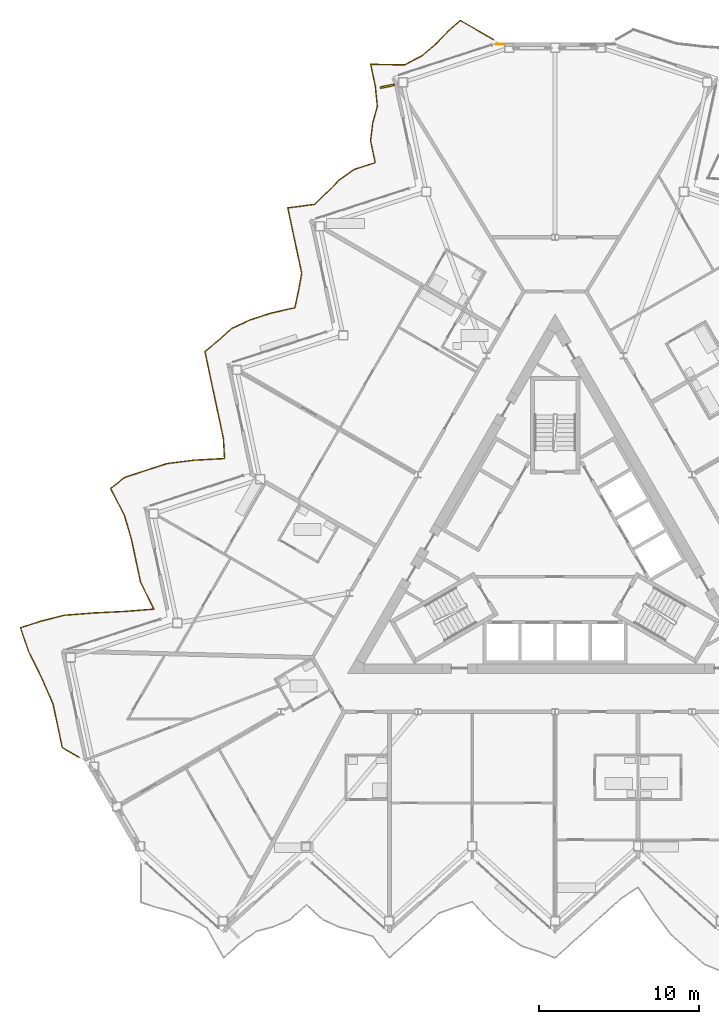
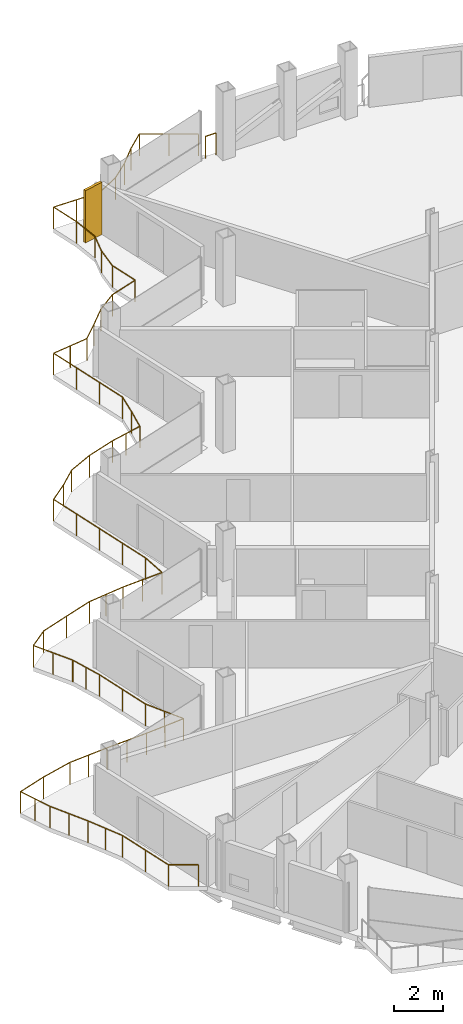
# One storey, part 25 of 28: 2 railings, 1 shading device.
"""IFC4 building model written with IfcOpenShell, lengths in metres."""

from ifc_helpers import new_model, si_unit, direction, frame, origin, origin_2d, place, context, subcontext, project, spatial, rectangle, circle, extrude, material, layer, layer_set, type_object, element, save


model = new_model("IFC4")

# Units and contexts
model_context = context("Model", 3, precision=1e-05, world=origin(), true_north=direction((0.0, 1.0)))
body_context = subcontext(model_context, "Body", "Model", "MODEL_VIEW")
ifc_project = project(units=[si_unit("LENGTHUNIT", "METRE"), si_unit("AREAUNIT", "SQUARE_METRE"), si_unit("VOLUMEUNIT", "CUBIC_METRE"), si_unit("PLANEANGLEUNIT", "RADIAN"), si_unit("MASSUNIT", "GRAM", prefix="KILO")], contexts=[model_context])

# Site, building, storey
site_placement = place(None, origin())
site = spatial("IfcSite", under=ifc_project, at=site_placement, CompositionType="ELEMENT")
building_placement = place(site_placement, origin())
building = spatial("IfcBuilding", under=site, at=building_placement, Name="Cormorant Prow Tower", CompositionType="ELEMENT")
storey_placement = place(building_placement, frame((0.0, 0.0, 308.60009765625)))
storey = spatial("IfcBuildingStorey", under=building, at=storey_placement, Name="L67", CompositionType="ELEMENT", Elevation=308.60009765625)

# Railings
ifc_material_1 = material(Name="Aluminium 6063-T6", Category="aluminium")
railing_type_1 = type_object("IfcRailingType", Name="Balcony guard 1100", PredefinedType="GUARDRAIL", material=ifc_material_1)
railing_1_placement = place(storey_placement, frame((-3.853759765625, 32.19482421875, 0.0)))
element("IfcRailing", 1, at=railing_1_placement, inside=storey, type_object=railing_type_1, Name="Balcony guard WNW", PredefinedType="GUARDRAIL", context=body_context, shape_type="SweptSolid", body=[
    extrude(circle(Radius=0.02392578125, at=origin_2d()), frame((0.0, 0.0, 1.076171875), z_axis=(-0.865984316205, 0.500071159023, 0.0), x_axis=(-0.500071159023, -0.865984316205, 0.0)), (0.0, 0.0, 1.0), 2.404052734375),
    extrude(circle(Radius=0.02392578125, at=origin_2d()), frame((-2.081787109375, 1.2021484375, 1.076171875), z_axis=(-0.747089038768, -0.664723978921, 0.0), x_axis=(0.664723978921, -0.747089038768, 0.0)), (0.0, 0.0, 1.0), 1.09375),
    extrude(circle(Radius=0.02392578125, at=origin_2d()), frame((-2.89892578125, 0.47509765625, 1.076171875), z_axis=(-0.694211586082, -0.719770987016, 0.0), x_axis=(0.719770987016, -0.694211586082, 0.0)), (0.0, 0.0, 1.0), 1.06982421875),
    extrude(circle(Radius=0.02392578125, at=origin_2d()), frame((-3.6416015625, -0.294921875, 1.076171875), z_axis=(-0.762032199561, -0.647539131507, 0.0), x_axis=(0.647539131507, -0.762032199561, 0.0)), (0.0, 0.0, 1.0), 1.1025390625),
    extrude(circle(Radius=0.02392578125, at=origin_2d()), frame((-4.481689453125, -1.0087890625, 1.076171875), z_axis=(-0.882981427981, -0.469407922644, 0.0), x_axis=(0.469407922644, -0.882981427981, 0.0)), (0.0, 0.0, 1.0), 1.224365234375),
    extrude(circle(Radius=0.02392578125, at=origin_2d()), frame((-5.562744140625, -1.58349609375, 1.076171875), z_axis=(-0.999864732402, 0.016447397928, 0.0), x_axis=(-0.016447397928, -0.999864732402, 0.0)), (0.0, 0.0, 1.0), 2.137451171875),
    extrude(circle(Radius=0.02392578125, at=origin_2d()), frame((-7.699951171875, -1.54833984375, 1.076171875), z_axis=(0.207929807467, -0.978143749746, 0.0), x_axis=(0.978143749746, 0.207929807467, 0.0)), (0.0, 0.0, 1.0), 1.397216796875),
    extrude(circle(Radius=0.02392578125, at=origin_2d()), frame((-7.409423828125, -2.9150390625, 1.076171875), z_axis=(0.097534282196, -0.995232165777, 0.0), x_axis=(0.995232165777, 0.097534282196, 0.0)), (0.0, 0.0, 1.0), 1.276611328125),
    extrude(circle(Radius=0.02392578125, at=origin_2d()), frame((-7.284912109375, -4.185546875, 1.076171875), z_axis=(-0.266293644334, -0.963891951926, 0.0), x_axis=(0.963891951926, -0.266293644334, 0.0)), (0.0, 0.0, 1.0), 1.07275390625),
    extrude(circle(Radius=0.02392578125, at=origin_2d()), frame((-7.570556640625, -5.219482421875, 1.076171875), z_axis=(-0.120971161182, -0.992656022075, 0.0), x_axis=(0.992656022075, -0.120971161182, 0.0)), (0.0, 0.0, 1.0), 1.128173828125),
    extrude(circle(Radius=0.02392578125, at=origin_2d()), frame((-7.70703125, -6.33935546875, 1.076171875), z_axis=(0.207798139517, -0.978171729919, 0.0), x_axis=(0.978171729919, 0.207798139517, 0.0)), (0.0, 0.0, 1.0), 1.39697265625),
    extrude(circle(Radius=0.02392578125, at=origin_2d()), frame((-7.416748046875, -7.705810546875, 1.076171875), z_axis=(-0.951016087818, -0.309141392751, 0.0), x_axis=(0.309141392751, -0.951016087818, 0.0)), (0.0, 0.0, 1.0), 1.39697265625),
    extrude(circle(Radius=0.02392578125, at=origin_2d()), frame((-8.745361328125, -8.1376953125, 1.076171875), z_axis=(-0.811729495463, -0.584033583106, 0.0), x_axis=(0.584033583106, -0.811729495463, 0.0)), (0.0, 0.0, 1.0), 1.138671875),
    extrude(circle(Radius=0.02392578125, at=origin_2d()), frame((-9.669677734375, -8.802734375, 1.076171875), z_axis=(-0.703572168412, -0.710623813165, 0.0), x_axis=(0.710623813165, -0.703572168412, 0.0)), (0.0, 0.0, 1.0), 1.0732421875),
    extrude(circle(Radius=0.02392578125, at=origin_2d()), frame((-10.4248046875, -9.5654296875, 1.076171875), z_axis=(-0.718102453364, -0.69593740126, 0.0), x_axis=(0.69593740126, -0.718102453364, 0.0)), (0.0, 0.0, 1.0), 1.079345703125),
    extrude(circle(Radius=0.02392578125, at=origin_2d()), frame((-11.199951171875, -10.316650390625, 1.076171875), z_axis=(-0.991439182662, -0.130569319074, 0.0), x_axis=(0.130569319074, -0.991439182662, 0.0)), (0.0, 0.0, 1.0), 1.705322265625),
    extrude(circle(Radius=0.02392578125, at=origin_2d()), frame((-12.890625, -10.539306640625, 1.076171875), z_axis=(0.207762621885, -0.978179274442, 0.0), x_axis=(0.978179274442, 0.207762621885, 0.0)), (0.0, 0.0, 1.0), 1.397216796875),
    extrude(circle(Radius=0.02392578125, at=origin_2d()), frame((-12.600341796875, -11.906005859375, 1.076171875), z_axis=(0.207965351097, -0.978136193351, 0.0), x_axis=(0.978136193351, 0.207965351097, 0.0)), (0.0, 0.0, 1.0), 1.39697265625),
    extrude(circle(Radius=0.02392578125, at=origin_2d()), frame((-12.309814453125, -13.2724609375, 1.076171875), z_axis=(0.207798139517, -0.978171729919, 0.0), x_axis=(0.978171729919, 0.207798139517, 0.0)), (0.0, 0.0, 1.0), 1.39697265625),
    extrude(circle(Radius=0.02392578125, at=origin_2d()), frame((-12.01953125, -14.638916015625, 1.076171875), z_axis=(-0.180074285146, -0.983653013938, 0.0), x_axis=(0.983653013938, -0.180074285146, 0.0)), (0.0, 0.0, 1.0), 1.102294921875),
    extrude(circle(Radius=0.02392578125, at=origin_2d()), frame((-12.218017578125, -15.72314453125, 1.076171875), z_axis=(-0.208490120926, -0.978024472841, 0.0), x_axis=(0.978024472841, -0.208490120926, 0.0)), (0.0, 0.0, 1.0), 1.09130859375),
    extrude(circle(Radius=0.02392578125, at=origin_2d()), frame((-12.445556640625, -16.79052734375, 1.076171875), z_axis=(-0.97526134755, -0.22105497953, 0.0), x_axis=(0.22105497953, -0.97526134755, 0.0)), (0.0, 0.0, 1.0), 1.528564453125),
    extrude(circle(Radius=0.02392578125, at=origin_2d()), frame((-13.936279296875, -17.12841796875, 1.076171875), z_axis=(-0.951016087818, -0.309141392751, 0.0), x_axis=(0.309141392751, -0.951016087818, 0.0)), (0.0, 0.0, 1.0), 1.39697265625),
    extrude(circle(Radius=0.02392578125, at=origin_2d()), frame((-15.264892578125, -17.560302734375, 1.076171875), z_axis=(-0.90494118241, -0.425536668665, 0.0), x_axis=(0.425536668665, -0.90494118241, 0.0)), (0.0, 0.0, 1.0), 1.264404296875),
    extrude(circle(Radius=0.02392578125, at=origin_2d()), frame((-16.4091796875, -18.098388671875, 1.076171875), z_axis=(-0.737479817062, -0.675369172694, 0.0), x_axis=(0.675369172694, -0.737479817062, 0.0)), (0.0, 0.0, 1.0), 1.0888671875),
    extrude(circle(Radius=0.02392578125, at=origin_2d()), frame((-17.212158203125, -18.833740234375, 1.076171875), z_axis=(-0.780505258853, -0.62514921491, 0.0), x_axis=(0.62514921491, -0.780505258853, 0.0)), (0.0, 0.0, 1.0), 1.1142578125),
    extrude(circle(Radius=0.02392578125, at=origin_2d()), frame((-18.081787109375, -19.5302734375, 1.076171875), z_axis=(0.207965351097, -0.978136193351, 0.0), x_axis=(0.978136193351, 0.207965351097, 0.0)), (0.0, 0.0, 1.0), 1.39697265625),
    extrude(circle(Radius=0.02392578125, at=origin_2d()), frame((-17.791259765625, -20.896728515625, 1.076171875), z_axis=(0.207929807467, -0.978143749746, 0.0), x_axis=(0.978143749746, 0.207929807467, 0.0)), (0.0, 0.0, 1.0), 1.397216796875),
    extrude(circle(Radius=0.02392578125, at=origin_2d()), frame((-17.500732421875, -22.263427734375, 1.076171875), z_axis=(0.207798139517, -0.978171729919, 0.0), x_axis=(0.978171729919, 0.207798139517, 0.0)), (0.0, 0.0, 1.0), 1.39697265625),
    extrude(circle(Radius=0.02392578125, at=origin_2d()), frame((-17.21044921875, -23.6298828125, 1.076171875), z_axis=(0.207965351097, -0.978136193351, 0.0), x_axis=(0.978136193351, 0.207965351097, 0.0)), (0.0, 0.0, 1.0), 1.39697265625),
    extrude(circle(Radius=0.02392578125, at=origin_2d()), frame((-16.919921875, -24.996337890625, 1.076171875), z_axis=(0.055317377538, -0.998468821618, 0.0), x_axis=(0.998468821618, 0.055317377538, 0.0)), (0.0, 0.0, 1.0), 1.240234375),
    extrude(circle(Radius=0.02392578125, at=origin_2d()), frame((-16.851318359375, -26.234619140625, 1.076171875), z_axis=(-0.998537593173, -0.054061770412, 0.0), x_axis=(0.054061770412, -0.998537593173, 0.0)), (0.0, 0.0, 1.0), 1.901123046875),
    extrude(circle(Radius=0.02392578125, at=origin_2d()), frame((-18.749755859375, -26.33740234375, 1.076171875), z_axis=(-0.992234125574, -0.124384243561, 0.0), x_axis=(0.124384243561, -0.992234125574, 0.0)), (0.0, 0.0, 1.0), 1.719482421875),
    extrude(circle(Radius=0.02392578125, at=origin_2d()), frame((-20.455810546875, -26.55126953125, 1.076171875), z_axis=(-0.951067455121, -0.308983326103, 0.0), x_axis=(0.308983326103, -0.951067455121, 0.0)), (0.0, 0.0, 1.0), 1.39697265625),
    extrude(circle(Radius=0.02392578125, at=origin_2d()), frame((-21.784423828125, -26.98291015625, 1.076171875), z_axis=(-0.949313575677, -0.314330614218, 0.0), x_axis=(0.314330614218, -0.949313575677, 0.0)), (0.0, 0.0, 1.0), 1.390380859375),
    extrude(circle(Radius=0.02392578125, at=origin_2d()), frame((-23.104248046875, -27.419921875, 1.076171875), z_axis=(-0.788529793252, -0.614996557026, 0.0), x_axis=(0.614996557026, -0.788529793252, 0.0)), (0.0, 0.0, 1.0), 1.119873046875),
    extrude(circle(Radius=0.02392578125, at=origin_2d()), frame((-23.9873046875, -28.108642578125, 1.076171875), z_axis=(0.455120067294, -0.890430078303, 0.0), x_axis=(0.890430078303, 0.455120067294, 0.0)), (0.0, 0.0, 1.0), 1.91015625),
    extrude(circle(Radius=0.02392578125, at=origin_2d()), frame((-23.117919921875, -29.8095703125, 1.076171875), z_axis=(0.282973475097, -0.95912773518, 0.0), x_axis=(0.95912773518, 0.282973475097, 0.0)), (0.0, 0.0, 1.0), 1.50634765625),
    extrude(circle(Radius=0.02392578125, at=origin_2d()), frame((-22.691650390625, -31.25439453125, 1.076171875), z_axis=(0.207965351097, -0.978136193351, 0.0), x_axis=(0.978136193351, 0.207965351097, 0.0)), (0.0, 0.0, 1.0), 1.39697265625),
    extrude(circle(Radius=0.02392578125, at=origin_2d()), frame((-22.401123046875, -32.620849609375, 1.076171875), z_axis=(0.207798139517, -0.978171729919, 0.0), x_axis=(0.978171729919, 0.207798139517, 0.0)), (0.0, 0.0, 1.0), 1.39697265625),
    extrude(circle(Radius=0.02392578125, at=origin_2d()), frame((-22.11083984375, -33.9873046875, 1.076171875), z_axis=(0.443664933893, -0.896192739556, 0.0), x_axis=(0.896192739556, 0.443664933893, 0.0)), (0.0, 0.0, 1.0), 1.873046875),
    extrude(circle(Radius=0.02392578125, at=origin_2d()), frame((-21.27978515625, -35.666015625, 1.076171875), z_axis=(-0.996893193601, -0.078765224254, 0.0), x_axis=(0.078765224254, -0.996893193601, 0.0)), (0.0, 0.0, 1.0), 1.831787109375),
    extrude(circle(Radius=0.02392578125, at=origin_2d()), frame((-23.10595703125, -35.810302734375, 1.076171875), z_axis=(-0.998816277505, -0.048641996176, 0.0), x_axis=(0.048641996176, -0.998816277505, 0.0)), (0.0, 0.0, 1.0), 1.917236328125),
    extrude(circle(Radius=0.02392578125, at=origin_2d()), frame((-25.02099609375, -35.903564453125, 1.076171875), z_axis=(-0.997045880711, -0.076808279228, 0.0), x_axis=(0.076808279228, -0.997045880711, 0.0)), (0.0, 0.0, 1.0), 1.837158203125),
    extrude(circle(Radius=0.02392578125, at=origin_2d()), frame((-26.852783203125, -36.044677734375, 1.076171875), z_axis=(-0.970449044261, -0.241306138529, 0.0), x_axis=(0.241306138529, -0.970449044261, 0.0)), (0.0, 0.0, 1.0), 1.495361328125),
    extrude(circle(Radius=0.02392578125, at=origin_2d()), frame((-28.303955078125, -36.405517578125, 1.076171875), z_axis=(-0.9510327847, -0.309090023174, 0.0), x_axis=(0.309090023174, -0.9510327847, 0.0)), (0.0, 0.0, 1.0), 1.397216796875),
    extrude(circle(Radius=0.02392578125, at=origin_2d()), frame((-29.6328125, -36.83740234375, 1.076171875), z_axis=(0.326565312027, -0.94517463835, 0.0), x_axis=(0.94517463835, 0.326565312027, 0.0)), (0.0, 0.0, 1.0), 1.584228515625),
    extrude(circle(Radius=0.02392578125, at=origin_2d()), frame((-29.115478515625, -38.334716796875, 1.076171875), z_axis=(0.442981034321, -0.896530982862, 0.0), x_axis=(0.896530982862, 0.442981034321, 0.0)), (0.0, 0.0, 1.0), 1.87109375),
    extrude(circle(Radius=0.02392578125, at=origin_2d()), frame((-28.28662109375, -40.01220703125, 1.076171875), z_axis=(0.398173143116, -0.917310279077, 0.0), x_axis=(0.917310279077, 0.398173143116, 0.0)), (0.0, 0.0, 1.0), 1.743896484375),
    extrude(circle(Radius=0.02392578125, at=origin_2d()), frame((-27.59228515625, -41.61181640625, 1.076171875), z_axis=(0.207965351097, -0.978136193351, 0.0), x_axis=(0.978136193351, 0.207965351097, 0.0)), (0.0, 0.0, 1.0), 1.39697265625),
    extrude(circle(Radius=0.02392578125, at=origin_2d()), frame((-27.3017578125, -42.978271484375, 1.076171875), z_axis=(0.207965351097, -0.978136193351, 0.0), x_axis=(0.978136193351, 0.207965351097, 0.0)), (0.0, 0.0, 1.0), 1.39697265625),
    extrude(circle(Radius=0.02392578125, at=origin_2d()), frame((-27.01123046875, -44.3447265625, 1.076171875), z_axis=(0.865955602162, -0.500120880472, 0.0), x_axis=(0.500120880472, 0.865955602162, 0.0)), (0.0, 0.0, 1.0), 1.219970703125),
    extrude(circle(Radius=0.02099609375, at=origin_2d()), origin(), (0.0, 0.0, 1.0), 1.052001953125),
    extrude(circle(Radius=0.02099609375, at=origin_2d()), frame((-1.041015625, 0.60107421875, 0.0)), (0.0, 0.0, 1.0), 1.052001953125),
    extrude(circle(Radius=0.02099609375, at=origin_2d()), frame((-2.081787109375, 1.2021484375, 0.0)), (0.0, 0.0, 1.0), 1.052001953125),
    extrude(circle(Radius=0.02099609375, at=origin_2d()), frame((-2.89892578125, 0.47509765625, 0.0)), (0.0, 0.0, 1.0), 1.052001953125),
    extrude(circle(Radius=0.02099609375, at=origin_2d()), frame((-3.6416015625, -0.294921875, 0.0)), (0.0, 0.0, 1.0), 1.052001953125),
    extrude(circle(Radius=0.02099609375, at=origin_2d()), frame((-4.481689453125, -1.0087890625, 0.0)), (0.0, 0.0, 1.0), 1.052001953125),
    extrude(circle(Radius=0.02099609375, at=origin_2d()), frame((-5.562744140625, -1.58349609375, 0.0)), (0.0, 0.0, 1.0), 1.052001953125),
    extrude(circle(Radius=0.02099609375, at=origin_2d()), frame((-6.63134765625, -1.56591796875, 0.0)), (0.0, 0.0, 1.0), 1.052001953125),
    extrude(circle(Radius=0.02099609375, at=origin_2d()), frame((-7.699951171875, -1.54833984375, 0.0)), (0.0, 0.0, 1.0), 1.052001953125),
    extrude(circle(Radius=0.02099609375, at=origin_2d()), frame((-7.409423828125, -2.9150390625, 0.0)), (0.0, 0.0, 1.0), 1.052001953125),
    extrude(circle(Radius=0.02099609375, at=origin_2d()), frame((-7.284912109375, -4.185546875, 0.0)), (0.0, 0.0, 1.0), 1.052001953125),
    extrude(circle(Radius=0.02099609375, at=origin_2d()), frame((-7.570556640625, -5.219482421875, 0.0)), (0.0, 0.0, 1.0), 1.052001953125),
    extrude(circle(Radius=0.02099609375, at=origin_2d()), frame((-7.70703125, -6.33935546875, 0.0)), (0.0, 0.0, 1.0), 1.052001953125),
    extrude(circle(Radius=0.02099609375, at=origin_2d()), frame((-7.416748046875, -7.705810546875, 0.0)), (0.0, 0.0, 1.0), 1.052001953125),
    extrude(circle(Radius=0.02099609375, at=origin_2d()), frame((-8.745361328125, -8.1376953125, 0.0)), (0.0, 0.0, 1.0), 1.052001953125),
    extrude(circle(Radius=0.02099609375, at=origin_2d()), frame((-9.669677734375, -8.802734375, 0.0)), (0.0, 0.0, 1.0), 1.052001953125),
    extrude(circle(Radius=0.02099609375, at=origin_2d()), frame((-10.4248046875, -9.5654296875, 0.0)), (0.0, 0.0, 1.0), 1.052001953125),
    extrude(circle(Radius=0.02099609375, at=origin_2d()), frame((-11.199951171875, -10.316650390625, 0.0)), (0.0, 0.0, 1.0), 1.052001953125),
    extrude(circle(Radius=0.02099609375, at=origin_2d()), frame((-12.04541015625, -10.427978515625, 0.0)), (0.0, 0.0, 1.0), 1.052001953125),
    extrude(circle(Radius=0.02099609375, at=origin_2d()), frame((-12.890625, -10.539306640625, 0.0)), (0.0, 0.0, 1.0), 1.052001953125),
    extrude(circle(Radius=0.02099609375, at=origin_2d()), frame((-12.600341796875, -11.906005859375, 0.0)), (0.0, 0.0, 1.0), 1.052001953125),
    extrude(circle(Radius=0.02099609375, at=origin_2d()), frame((-12.309814453125, -13.2724609375, 0.0)), (0.0, 0.0, 1.0), 1.052001953125),
    extrude(circle(Radius=0.02099609375, at=origin_2d()), frame((-12.01953125, -14.638916015625, 0.0)), (0.0, 0.0, 1.0), 1.052001953125),
    extrude(circle(Radius=0.02099609375, at=origin_2d()), frame((-12.218017578125, -15.72314453125, 0.0)), (0.0, 0.0, 1.0), 1.052001953125),
    extrude(circle(Radius=0.02099609375, at=origin_2d()), frame((-12.445556640625, -16.79052734375, 0.0)), (0.0, 0.0, 1.0), 1.052001953125),
    extrude(circle(Radius=0.02099609375, at=origin_2d()), frame((-13.19091796875, -16.95947265625, 0.0)), (0.0, 0.0, 1.0), 1.052001953125),
    extrude(circle(Radius=0.02099609375, at=origin_2d()), frame((-13.936279296875, -17.12841796875, 0.0)), (0.0, 0.0, 1.0), 1.052001953125),
    extrude(circle(Radius=0.02099609375, at=origin_2d()), frame((-15.264892578125, -17.560302734375, 0.0)), (0.0, 0.0, 1.0), 1.052001953125),
    extrude(circle(Radius=0.02099609375, at=origin_2d()), frame((-16.4091796875, -18.098388671875, 0.0)), (0.0, 0.0, 1.0), 1.052001953125),
    extrude(circle(Radius=0.02099609375, at=origin_2d()), frame((-17.212158203125, -18.833740234375, 0.0)), (0.0, 0.0, 1.0), 1.052001953125),
    extrude(circle(Radius=0.02099609375, at=origin_2d()), frame((-18.081787109375, -19.5302734375, 0.0)), (0.0, 0.0, 1.0), 1.052001953125),
    extrude(circle(Radius=0.02099609375, at=origin_2d()), frame((-17.791259765625, -20.896728515625, 0.0)), (0.0, 0.0, 1.0), 1.052001953125),
    extrude(circle(Radius=0.02099609375, at=origin_2d()), frame((-17.500732421875, -22.263427734375, 0.0)), (0.0, 0.0, 1.0), 1.052001953125),
    extrude(circle(Radius=0.02099609375, at=origin_2d()), frame((-17.21044921875, -23.6298828125, 0.0)), (0.0, 0.0, 1.0), 1.052001953125),
    extrude(circle(Radius=0.02099609375, at=origin_2d()), frame((-16.919921875, -24.996337890625, 0.0)), (0.0, 0.0, 1.0), 1.052001953125),
    extrude(circle(Radius=0.02099609375, at=origin_2d()), frame((-16.851318359375, -26.234619140625, 0.0)), (0.0, 0.0, 1.0), 1.052001953125),
    extrude(circle(Radius=0.02099609375, at=origin_2d()), frame((-17.800537109375, -26.2861328125, 0.0)), (0.0, 0.0, 1.0), 1.052001953125),
    extrude(circle(Radius=0.02099609375, at=origin_2d()), frame((-18.749755859375, -26.33740234375, 0.0)), (0.0, 0.0, 1.0), 1.052001953125),
    extrude(circle(Radius=0.02099609375, at=origin_2d()), frame((-19.602783203125, -26.4443359375, 0.0)), (0.0, 0.0, 1.0), 1.052001953125),
    extrude(circle(Radius=0.02099609375, at=origin_2d()), frame((-20.455810546875, -26.55126953125, 0.0)), (0.0, 0.0, 1.0), 1.052001953125),
    extrude(circle(Radius=0.02099609375, at=origin_2d()), frame((-21.784423828125, -26.98291015625, 0.0)), (0.0, 0.0, 1.0), 1.052001953125),
    extrude(circle(Radius=0.02099609375, at=origin_2d()), frame((-23.104248046875, -27.419921875, 0.0)), (0.0, 0.0, 1.0), 1.052001953125),
    extrude(circle(Radius=0.02099609375, at=origin_2d()), frame((-23.9873046875, -28.108642578125, 0.0)), (0.0, 0.0, 1.0), 1.052001953125),
    extrude(circle(Radius=0.02099609375, at=origin_2d()), frame((-23.552734375, -28.958984375, 0.0)), (0.0, 0.0, 1.0), 1.052001953125),
    extrude(circle(Radius=0.02099609375, at=origin_2d()), frame((-23.117919921875, -29.8095703125, 0.0)), (0.0, 0.0, 1.0), 1.052001953125),
    extrude(circle(Radius=0.02099609375, at=origin_2d()), frame((-22.90478515625, -30.531982421875, 0.0)), (0.0, 0.0, 1.0), 1.052001953125),
    extrude(circle(Radius=0.02099609375, at=origin_2d()), frame((-22.691650390625, -31.25439453125, 0.0)), (0.0, 0.0, 1.0), 1.052001953125),
    extrude(circle(Radius=0.02099609375, at=origin_2d()), frame((-22.401123046875, -32.620849609375, 0.0)), (0.0, 0.0, 1.0), 1.052001953125),
    extrude(circle(Radius=0.02099609375, at=origin_2d()), frame((-22.11083984375, -33.9873046875, 0.0)), (0.0, 0.0, 1.0), 1.052001953125),
    extrude(circle(Radius=0.02099609375, at=origin_2d()), frame((-21.6953125, -34.82666015625, 0.0)), (0.0, 0.0, 1.0), 1.052001953125),
    extrude(circle(Radius=0.02099609375, at=origin_2d()), frame((-21.27978515625, -35.666015625, 0.0)), (0.0, 0.0, 1.0), 1.052001953125),
    extrude(circle(Radius=0.02099609375, at=origin_2d()), frame((-22.19287109375, -35.73828125, 0.0)), (0.0, 0.0, 1.0), 1.052001953125),
    extrude(circle(Radius=0.02099609375, at=origin_2d()), frame((-23.10595703125, -35.810302734375, 0.0)), (0.0, 0.0, 1.0), 1.052001953125),
    extrude(circle(Radius=0.02099609375, at=origin_2d()), frame((-24.0634765625, -35.85693359375, 0.0)), (0.0, 0.0, 1.0), 1.052001953125),
    extrude(circle(Radius=0.02099609375, at=origin_2d()), frame((-25.02099609375, -35.903564453125, 0.0)), (0.0, 0.0, 1.0), 1.052001953125),
    extrude(circle(Radius=0.02099609375, at=origin_2d()), frame((-25.93701171875, -35.97412109375, 0.0)), (0.0, 0.0, 1.0), 1.052001953125),
    extrude(circle(Radius=0.02099609375, at=origin_2d()), frame((-26.852783203125, -36.044677734375, 0.0)), (0.0, 0.0, 1.0), 1.052001953125),
    extrude(circle(Radius=0.02099609375, at=origin_2d()), frame((-28.303955078125, -36.405517578125, 0.0)), (0.0, 0.0, 1.0), 1.052001953125),
    extrude(circle(Radius=0.02099609375, at=origin_2d()), frame((-29.6328125, -36.83740234375, 0.0)), (0.0, 0.0, 1.0), 1.052001953125),
    extrude(circle(Radius=0.02099609375, at=origin_2d()), frame((-29.3740234375, -37.5859375, 0.0)), (0.0, 0.0, 1.0), 1.052001953125),
    extrude(circle(Radius=0.02099609375, at=origin_2d()), frame((-29.115478515625, -38.334716796875, 0.0)), (0.0, 0.0, 1.0), 1.052001953125),
    extrude(circle(Radius=0.02099609375, at=origin_2d()), frame((-28.701171875, -39.17333984375, 0.0)), (0.0, 0.0, 1.0), 1.052001953125),
    extrude(circle(Radius=0.02099609375, at=origin_2d()), frame((-28.28662109375, -40.01220703125, 0.0)), (0.0, 0.0, 1.0), 1.052001953125),
    extrude(circle(Radius=0.02099609375, at=origin_2d()), frame((-27.939453125, -40.81201171875, 0.0)), (0.0, 0.0, 1.0), 1.052001953125),
    extrude(circle(Radius=0.02099609375, at=origin_2d()), frame((-27.59228515625, -41.61181640625, 0.0)), (0.0, 0.0, 1.0), 1.052001953125),
    extrude(circle(Radius=0.02099609375, at=origin_2d()), frame((-27.3017578125, -42.978271484375, 0.0)), (0.0, 0.0, 1.0), 1.052001953125),
    extrude(circle(Radius=0.02099609375, at=origin_2d()), frame((-27.01123046875, -44.3447265625, 0.0)), (0.0, 0.0, 1.0), 1.052001953125),
    extrude(circle(Radius=0.02099609375, at=origin_2d()), frame((-25.954833984375, -44.954833984375, 0.0)), (0.0, 0.0, 1.0), 1.052001953125),
])
ifc_material_2 = material(Name="Stainless steel", Category="steel")
railing_type_2 = type_object("IfcRailingType", Name="Facade corner guard 1100", PredefinedType="GUARDRAIL", material=ifc_material_2)
railing_2_placement = place(storey_placement, frame((-3.68505859375, 31.89990234375, 0.0)))
element("IfcRailing", 2, at=railing_2_placement, inside=storey, type_object=railing_type_2, Name="Facade corner guard L67 1", PredefinedType="GUARDRAIL", context=body_context, shape_type="SweptSolid", body=[
    extrude(circle(Radius=0.02392578125, at=origin_2d()), frame((0.0, 0.0, 1.076171875), z_axis=(1.0, 0.0, 0.0), x_axis=(0.0, 1.0, 0.0)), (0.0, 0.0, 1.0), 0.4912109375),
    extrude(circle(Radius=0.02099609375, at=origin_2d()), origin(), (0.0, 0.0, 1.0), 1.052001953125),
    extrude(circle(Radius=0.02099609375, at=origin_2d()), frame((0.4912109375, 0.0, 0.0)), (0.0, 0.0, 1.0), 1.052001953125),
])

# Shading device
ifc_material_3 = material(Name="Terracotta", Category="masonry")
ifc_layer = layer(ifc_material_3, 0.1201171875)
ifc_layer_set = layer_set([ifc_layer], Name="Terracotta")
shading_device_type = type_object("IfcShadingDeviceType", Name="Terracotta baguette fin 120x900x2600", PredefinedType="USERDEFINED", material=ifc_layer_set)
shading_device_placement = place(storey_placement, frame((-10.50537109375, 29.26953125, -0.000244140625), z_axis=(0.0, 0.0, 1.0), x_axis=(0.207911662683, -0.978147606714, 0.0)))
element("IfcShadingDevice", 3, at=shading_device_placement, inside=storey, type_object=shading_device_type, Name="Baguette fin WNW01", ObjectType="BAGUETTE", PredefinedType="USERDEFINED", context=body_context, shape_type="SweptSolid", body=[
    extrude(rectangle(XDim=0.1201171875, YDim=0.89990234375, at=origin_2d()), origin(), (0.0, 0.0, 1.0), 2.60009765625),
])

save(model, "model.ifc")
